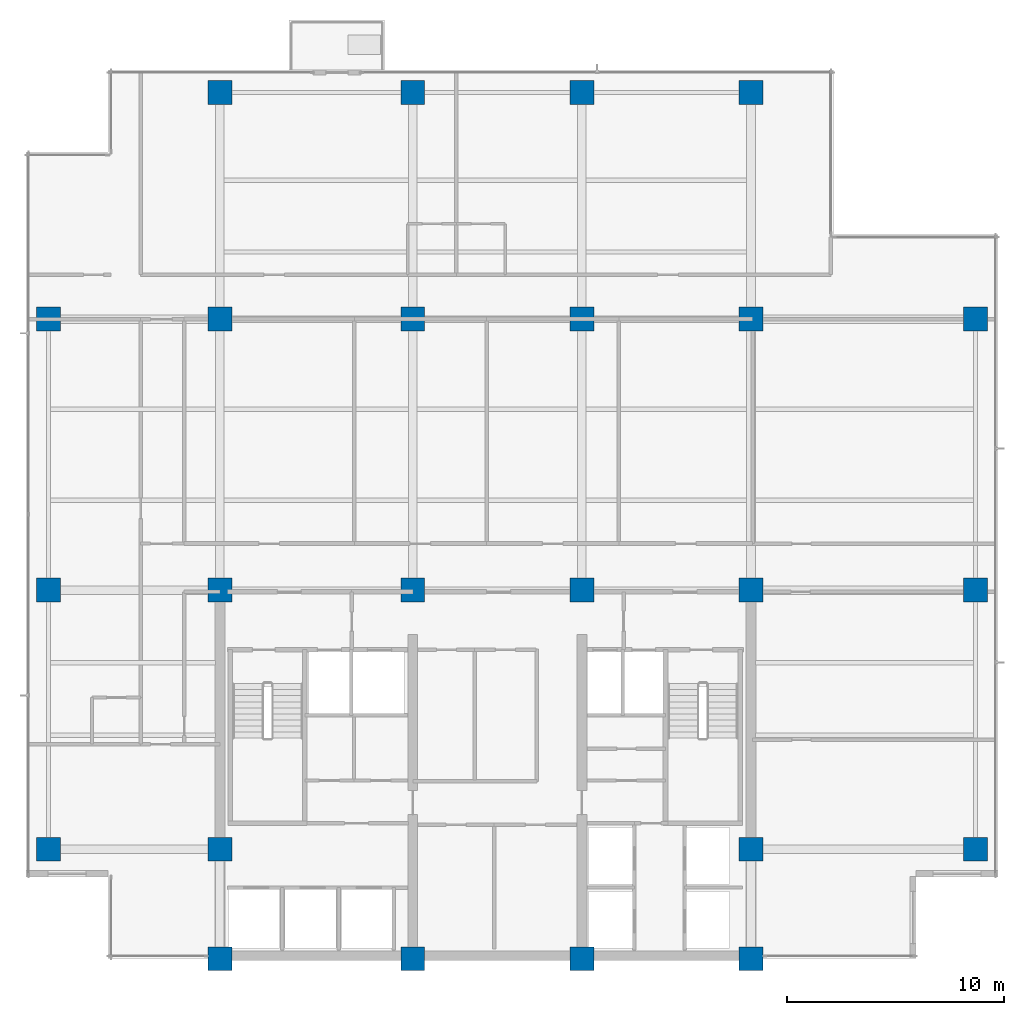
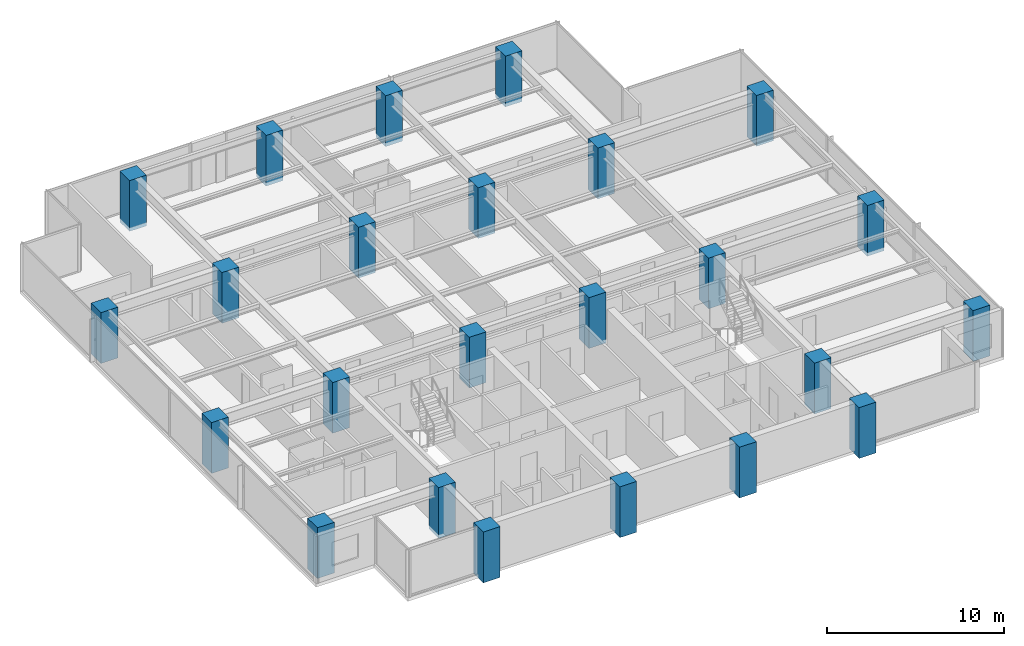
# One storey, part 1 of 14: 24 columns.
"""IFC4 building model written with IfcOpenShell, lengths in metres."""

from ifc_helpers import new_model, si_unit, direction, frame, origin, origin_2d, place, context, subcontext, project, spatial, rectangle, extrude, material, material_profile, profile_set, type_object, element, save


model = new_model("IFC4")

# Units and contexts
model_context = context("Model", 3, precision=1e-05, world=origin(), true_north=direction((0.0, 1.0)))
body_context = subcontext(model_context, "Body", "Model", "MODEL_VIEW")
ifc_project = project(units=[si_unit("LENGTHUNIT", "METRE"), si_unit("AREAUNIT", "SQUARE_METRE"), si_unit("VOLUMEUNIT", "CUBIC_METRE"), si_unit("PLANEANGLEUNIT", "RADIAN"), si_unit("MASSUNIT", "GRAM", prefix="KILO")], contexts=[model_context])

# Site, building, storey
site_placement = place(None, origin())
site = spatial("IfcSite", under=ifc_project, at=site_placement, CompositionType="ELEMENT")
building_placement = place(site_placement, origin())
building = spatial("IfcBuilding", under=site, at=building_placement, Name="Qalmaran Belvedere Hotel", CompositionType="ELEMENT")
storey_placement = place(building_placement, frame((0.0, 0.0, 177.10009765625)))
storey = spatial("IfcBuildingStorey", under=building, at=storey_placement, Name="L45", CompositionType="ELEMENT", Elevation=177.10009765625)

# Columns
ifc_material = material(Name="Concrete C50/60", Category="concrete")
ifc_material_profile = material_profile(ifc_material, rectangle(XDim=1.10009765625, YDim=1.10009765625, at=origin_2d()), Name="CC1100X1100")
ifc_profile_set = profile_set([ifc_material_profile], Name="Concrete C50/60")
column_type = type_object("IfcColumnType", Name="COL-Z3-CC1100", PredefinedType="COLUMN", material=ifc_profile_set)
for number, where, z_axis, x_axis, name in (
    (1, (20.300048828125, 3.5, -0.25), (0.0, 0.0, 1.0), (1.0, 0.0, 0.0), "L45 Column C4B"),
    (2, (29.199951171875, 3.5, -0.25), (0.0, 0.0, 1.0), (1.0, 0.0, 0.0), "L45 Column C5B"),
    (3, (37.0, 3.5, -0.25), (0.0, 0.0, 1.0), (1.0, 0.0, 0.0), "L45 Column C6B"),
    (4, (44.800048828125, 3.5, -0.25), (0.0, 0.0, 1.0), (1.0, 0.0, 0.0), "L45 Column C7B"),
    (5, (20.300048828125, 8.550048828125, -0.25), (0.0, 0.0, 1.0), (1.0, 0.0, 0.0), "L45 Column C4C"),
    (6, (44.800048828125, 8.550048828125, -0.25), (0.0, 0.0, 1.0), (1.0, 0.0, 0.0), "L45 Column C7C"),
    (7, (20.300048828125, 20.5, -0.25), (0.0, 0.0, 1.0), (1.0, 0.0, 0.0), "L45 Column C4D"),
    (8, (29.199951171875, 20.5, -0.25), (0.0, 0.0, 1.0), (1.0, 0.0, 0.0), "L45 Column C5D"),
    (9, (37.0, 20.5, -0.25), (0.0, 0.0, 1.0), (1.0, 0.0, 0.0), "L45 Column C6D"),
    (10, (44.800048828125, 20.5, -0.25), (0.0, 0.0, 1.0), (1.0, 0.0, 0.0), "L45 Column C7D"),
    (11, (20.300048828125, 33.0, -0.25), (0.0, 0.0, 1.0), (1.0, 0.0, 0.0), "L45 Column C4F"),
    (12, (29.199951171875, 33.0, -0.25), (0.0, 0.0, 1.0), (1.0, 0.0, 0.0), "L45 Column C5F"),
    (13, (37.0, 33.0, -0.25), (0.0, 0.0, 1.0), (1.0, 0.0, 0.0), "L45 Column C6F"),
    (14, (44.800048828125, 33.0, -0.25), (0.0, 0.0, 1.0), (1.0, 0.0, 0.0), "L45 Column C7F"),
    (15, (12.39990234375, 8.550048828125, -0.25), (0.0, 0.0, 1.0), (1.0, 0.0, 0.0), "L45 Column CW1"),
    (16, (12.39990234375, 20.5, -0.25), (0.0, 0.0, 1.0), (1.0, 0.0, 0.0), "L45 Column CW3"),
    (17, (12.39990234375, 33.0, -0.25), (0.0, 0.0, 1.0), (1.0, 0.0, 0.0), "L45 Column CW4"),
    (18, (55.14990234375, 8.550048828125, -0.25), (0.0, 0.0, 1.0), (1.0, 0.0, 0.0), "L45 Column CE1"),
    (19, (55.14990234375, 20.5, -0.25), (0.0, 0.0, 1.0), (1.0, 0.0, 0.0), "L45 Column CE3"),
    (20, (55.14990234375, 33.0, -0.25), (0.0, 0.0, 1.0), (1.0, 0.0, 0.0), "L45 Column CE4"),
    (21, (20.300048828125, 43.449951171875, -0.25), (0.0, 0.0, 1.0), (1.0, 0.0, 0.0), "L45 Column CN1"),
    (22, (29.199951171875, 43.449951171875, -0.25), (0.0, 0.0, 1.0), (1.0, 0.0, 0.0), "L45 Column CN2"),
    (23, (37.0, 43.449951171875, -0.25), (0.0, 0.0, 1.0), (1.0, 0.0, 0.0), "L45 Column CN3"),
    (24, (44.800048828125, 43.449951171875, -0.25), (0.0, 0.0, 1.0), (1.0, 0.0, 0.0), "L45 Column CN4"),
):
    element("IfcColumn", number, at=place(storey_placement, frame(where, z_axis=z_axis, x_axis=x_axis)), inside=storey, type_object=column_type, Name=name, PredefinedType="COLUMN", context=body_context, shape_type="SweptSolid", body=[
        extrude(rectangle(XDim=1.10009765625, YDim=1.10009765625, at=origin_2d()), origin(), (0.0, 0.0, 1.0), 3.5),
    ])

save(model, "model.ifc")
